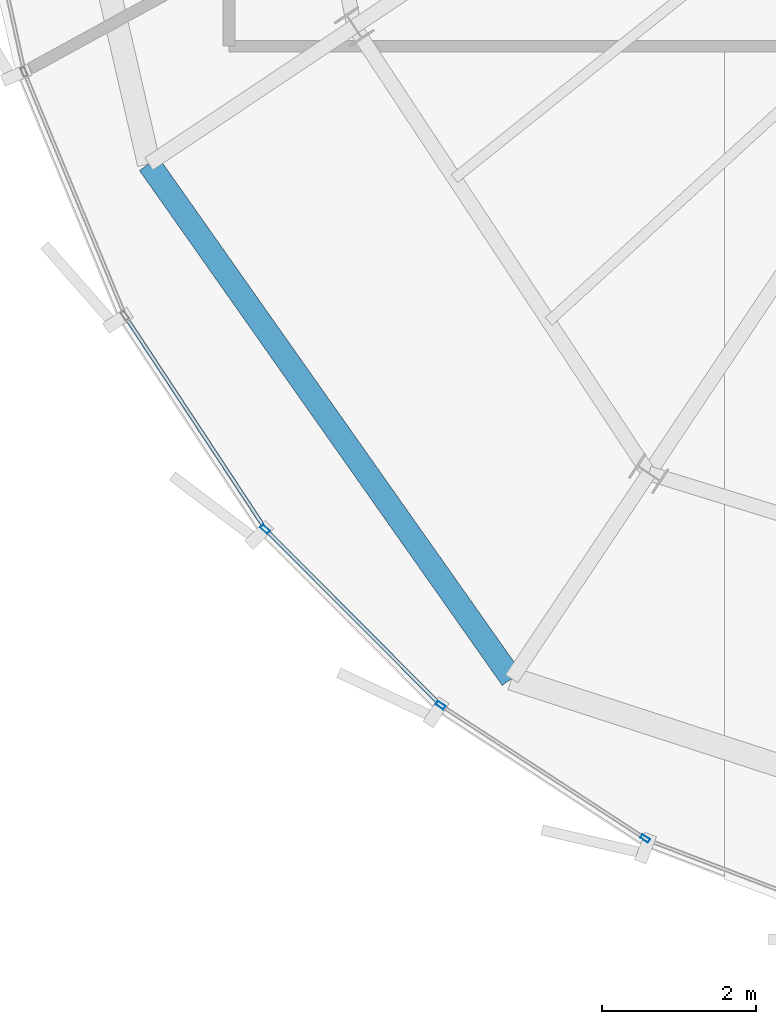
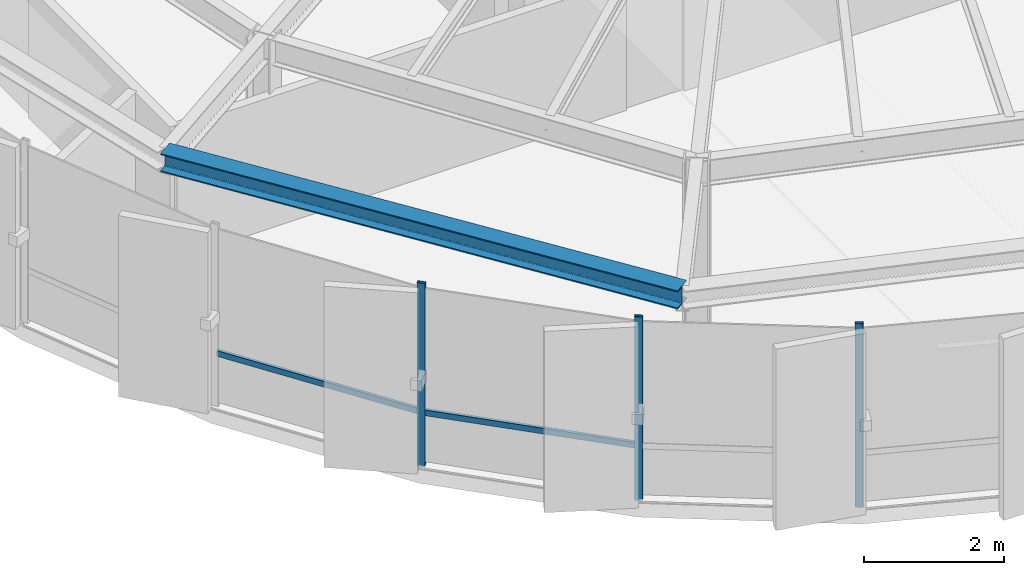
# One storey, part 2 of 31: 5 members, 1 beam, 1 element without a shape of its own.
"""IFC4 building model written with IfcOpenShell, lengths in metres."""

from ifc_helpers import new_model, si_unit, direction, frame, origin, origin_2d, place, context, subcontext, project, spatial, hollow_rectangle, i_section, extrude, source, transform, mapped, material, layer, layer_set, material_profile, profile_set, type_object, element, aggregate, save


model = new_model("IFC4")

# Units and contexts
model_context = context("Model", 3, precision=1e-05, world=origin(), true_north=direction((0.0, 1.0)))
body_context = subcontext(model_context, "Body", "Model", "MODEL_VIEW")
ifc_project = project(units=[si_unit("LENGTHUNIT", "METRE"), si_unit("AREAUNIT", "SQUARE_METRE"), si_unit("VOLUMEUNIT", "CUBIC_METRE"), si_unit("PLANEANGLEUNIT", "RADIAN"), si_unit("MASSUNIT", "GRAM", prefix="KILO"), si_unit("THERMODYNAMICTEMPERATUREUNIT", "KELVIN")], contexts=[model_context])

# Site, building, storey
site_placement = place(None, origin())
site = spatial("IfcSite", under=ifc_project, at=site_placement, CompositionType="ELEMENT")
building_placement = place(site_placement, origin())
building = spatial("IfcBuilding", under=site, at=building_placement, Name="Kethvar Cultural Tower", CompositionType="ELEMENT")
storey_placement = place(building_placement, frame((0.0, 0.0, 287.050048828125)))
storey = spatial("IfcBuildingStorey", under=building, at=storey_placement, Name="L76", CompositionType="ELEMENT", Elevation=287.050048828125)

# Beam
ifc_material_1 = material(Name="Steel S355J2", Category="steel")
ifc_material_profile_1 = material_profile(ifc_material_1, i_section(OverallWidth=0.300048828125, OverallDepth=0.320068359375, WebThickness=0.011474609375, FlangeThickness=0.0205078125, FilletRadius=0.027099609375, at=origin_2d()), Name="Steel S355J2 — HEB320")
ifc_profile_set_1 = profile_set([ifc_material_profile_1], Name="Steel S355J2 — HEB320")
beam_type = type_object("IfcBeamType", Name="BM-SP320", PredefinedType="SPANDREL", material=ifc_profile_set_1)
shared_shape_1 = source(origin(), body_context, "Body", "SweptSolid", [
    extrude(i_section(OverallWidth=0.300048828125, OverallDepth=0.320068359375, WebThickness=0.011474609375, FlangeThickness=0.0205078125, FilletRadius=0.027099609375, at=origin_2d()), origin(), (0.0, 0.0, 1.0), 8.16259765625),
])
beam_placement = place(storey_placement, frame((30.252197265625, 16.7431640625, 3.0478515625), z_axis=(0.575940812748, -0.817491394579, 0.0), x_axis=(0.817491394579, 0.575940812748, 0.0)))
element("IfcBeam", 1, at=beam_placement, inside=storey, type_object=beam_type, Name="L76 Perimeter Spandrel Beam SP-10", PredefinedType="SPANDREL", context=body_context, shape_type="MappedRepresentation", body=[
    mapped(shared_shape_1, transform((0.0, 0.0, 0.0), scale=1.0)),
])

# Curtain wall, members
ifc_material_2 = material(Name="Aluminium 6063-T6", Category="aluminium")
ifc_layer = layer(ifc_material_2, 0.179931640625, Name="Aluminium 6063-T6", Category="aluminium")
ifc_layer_set = layer_set([ifc_layer], Name="Aluminium 6063-T6 (180 mm)")
curtain_wall_type = type_object("IfcCurtainWallType", Name="CW-SYS-05-Z56", PredefinedType="NOTDEFINED", material=ifc_layer_set)
curtain_wall_placement = place(storey_placement, origin())
curtain_wall = element("IfcCurtainWall", 2, at=curtain_wall_placement, inside=storey, type_object=curtain_wall_type, Name="L76 Curtain Wall Run 03", PredefinedType="NOTDEFINED")
ifc_material_profile_2 = material_profile(ifc_material_2, hollow_rectangle(XDim=0.054931640625, YDim=0.1201171875, WallThickness=0.00390625, at=origin_2d()), Name="Aluminium 6063-T6 — RHS120x55x4")
ifc_profile_set_2 = profile_set([ifc_material_profile_2], Name="Aluminium 6063-T6 — RHS120x55x4")
member_type_1 = type_object("IfcMemberType", Name="CW-SYS-05-Z56-MUL", PredefinedType="MULLION", material=ifc_profile_set_2)
shared_shape_2 = source(origin(), body_context, "Body", "SweptSolid", [
    extrude(hollow_rectangle(XDim=0.054931640625, YDim=0.1201171875, WallThickness=0.00390625, at=origin_2d()), origin(), (0.0, 0.0, 1.0), 3.2099609375),
])
member_1_placement = place(storey_placement, frame((31.760009765625, 12.01025390625, 0.0), z_axis=(0.0, 0.0, 1.0), x_axis=(0.7083521574, 0.705859207709, 0.0)))
member_1 = element("IfcMember", 3, at=member_1_placement, type_object=member_type_1, Name="CW-L76-R03 Mullion 5", PredefinedType="MULLION", context=body_context, shape_type="MappedRepresentation", body=[
    mapped(shared_shape_2, transform((0.0, 0.0, 0.0), scale=1.0)),
])
member_2_placement = place(storey_placement, frame((34.033447265625, 9.7255859375, 0.0), z_axis=(0.0, 0.0, 1.0), x_axis=(0.545984988093, 0.837794958672, 0.0)))
member_2 = element("IfcMember", 4, at=member_2_placement, type_object=member_type_1, Name="CW-L76-R03 Mullion 6", PredefinedType="MULLION", context=body_context, shape_type="MappedRepresentation", body=[
    mapped(shared_shape_2, transform((0.0, 0.0, 0.0), scale=1.0)),
])
member_3_placement = place(storey_placement, frame((36.682861328125, 7.998779296875, 0.0), z_axis=(0.0, 0.0, 1.0), x_axis=(0.545984988093, 0.837794958672, 0.0)))
member_3 = element("IfcMember", 5, at=member_3_placement, type_object=member_type_1, Name="CW-L76-R03 Mullion 7", PredefinedType="MULLION", context=body_context, shape_type="MappedRepresentation", body=[
    mapped(shared_shape_2, transform((0.0, 0.0, 0.0), scale=1.0)),
])
ifc_material_profile_3 = material_profile(ifc_material_2, hollow_rectangle(XDim=0.050048828125, YDim=0.10009765625, WallThickness=0.00390625, at=origin_2d()), Name="Aluminium 6063-T6 — RHS100x50x4")
ifc_profile_set_3 = profile_set([ifc_material_profile_3], Name="Aluminium 6063-T6 — RHS100x50x4")
member_type_2 = type_object("IfcMemberType", Name="CW-SYS-05-Z56-TRN", PredefinedType="USERDEFINED", material=ifc_profile_set_3)
shared_shape_3 = source(origin(), body_context, "Body", "SweptSolid", [
    extrude(hollow_rectangle(XDim=0.050048828125, YDim=0.10009765625, WallThickness=0.00390625, at=origin_2d()), origin(), (0.0, 0.0, 1.0), 3.249267578125),
])
member_4_placement = place(storey_placement, frame((29.963623046875, 14.7412109375, 0.949951171875), z_axis=(0.550009743576, -0.835158237684, 0.0), x_axis=(0.835158237684, 0.550009743576, 0.0)))
member_4 = element("IfcMember", 6, at=member_4_placement, type_object=member_type_2, Name="CW-L76-R03 Transom 4", ObjectType="TRANSOM", PredefinedType="USERDEFINED", context=body_context, shape_type="MappedRepresentation", body=[
    mapped(shared_shape_3, transform((0.0, 0.0, 0.0), scale=1.0)),
])
shared_shape_4 = source(origin(), body_context, "Body", "SweptSolid", [
    extrude(hollow_rectangle(XDim=0.050048828125, YDim=0.10009765625, WallThickness=0.00390625, at=origin_2d()), origin(), (0.0, 0.0, 1.0), 3.164794921875),
])
member_5_placement = place(storey_placement, frame((31.787841796875, 11.982177734375, 0.949951171875), z_axis=(0.705832822348, -0.708378448921, 0.0), x_axis=(0.708378448921, 0.705832822348, 0.0)))
member_5 = element("IfcMember", 7, at=member_5_placement, type_object=member_type_2, Name="CW-L76-R03 Transom 5", ObjectType="TRANSOM", PredefinedType="USERDEFINED", context=body_context, shape_type="MappedRepresentation", body=[
    mapped(shared_shape_4, transform((0.0, 0.0, 0.0), scale=1.0)),
])
aggregate(curtain_wall, [member_1, member_2, member_3, member_4, member_5])

save(model, "model.ifc")
